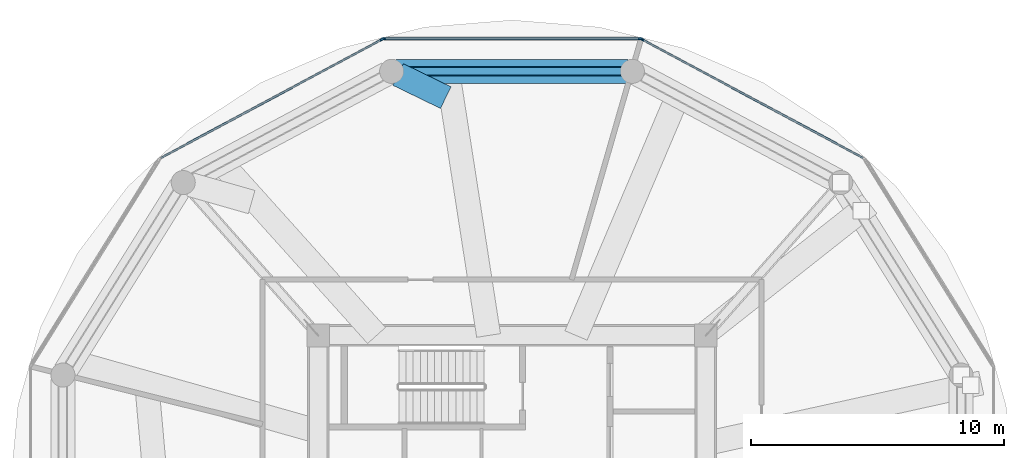
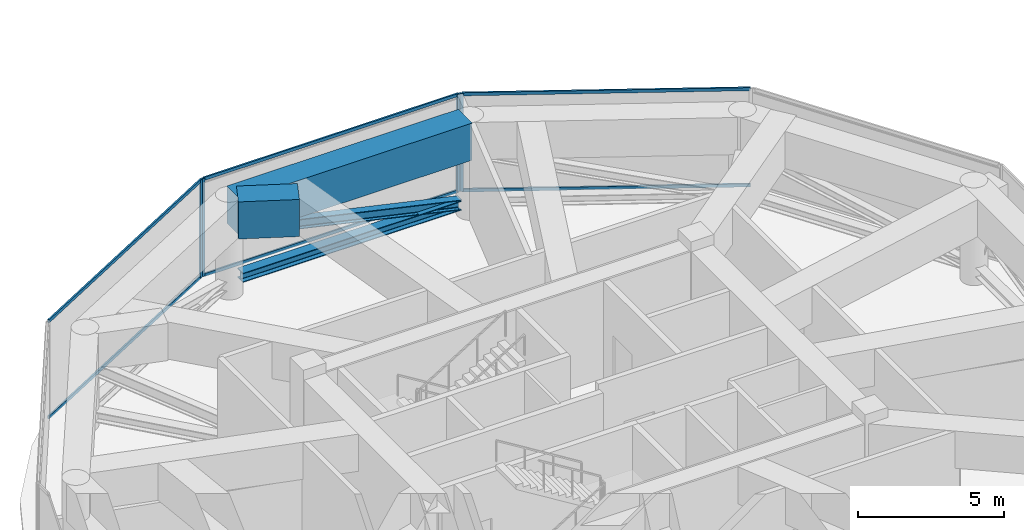
# One storey, part 9 of 22: 12 members, 2 beams, 3 elements without a shape of their own.
"""IFC4 building model written with IfcOpenShell, lengths in metres."""

from ifc_helpers import new_model, si_unit, direction, frame, origin, origin_2d, place, context, subcontext, project, spatial, rectangle, i_section, extrude, source, transform, mapped, material, layer, layer_set, material_profile, profile_set, type_object, type_shapes, element, aggregate, save


model = new_model("IFC4")

# Units and contexts
model_context = context("Model", 3, precision=1e-05, world=origin(), true_north=direction((0.0, 1.0)))
body_context = subcontext(model_context, "Body", "Model", "MODEL_VIEW")
ifc_project = project(units=[si_unit("LENGTHUNIT", "METRE"), si_unit("AREAUNIT", "SQUARE_METRE"), si_unit("VOLUMEUNIT", "CUBIC_METRE"), si_unit("PLANEANGLEUNIT", "RADIAN"), si_unit("MASSUNIT", "GRAM", prefix="KILO")], contexts=[model_context])

# Site, building, storey
site_placement = place(None, origin())
site = spatial("IfcSite", under=ifc_project, at=site_placement, CompositionType="ELEMENT")
building_placement = place(site_placement, origin())
building = spatial("IfcBuilding", under=site, at=building_placement, Name="Norrkilde Senior Care Towers", CompositionType="ELEMENT")
storey_placement = place(building_placement, frame((0.0, 0.0, 73.449951171875)))
storey = spatial("IfcBuildingStorey", under=building, at=storey_placement, Name="L22", CompositionType="ELEMENT", Elevation=73.449951171875)

# Beams
ifc_material_1 = material(Name="Concrete C60/75", Category="concrete")
ifc_material_profile_1 = material_profile(ifc_material_1, rectangle(XDim=0.949951171875, YDim=1.550048828125, at=origin_2d()), Name="RC TG 950x1550")
ifc_profile_set_1 = profile_set([ifc_material_profile_1], Name="Concrete C60/75")
beam_type = type_object("IfcBeamType", Name="Transfer Girder Zone Shift 950x1550", PredefinedType="USERDEFINED", material=ifc_profile_set_1)
shared_shape_1 = source(origin(), body_context, "Body", "SweptSolid", [
    extrude(rectangle(XDim=0.949951171875, YDim=1.550048828125, at=origin_2d()), origin(), (0.0, 0.0, 1.0), 9.138671875),
])
beam_1_placement = place(storey_placement, frame((-23.4306640625, 16.37255859375, 3.304931640625), z_axis=(-1.0, 0.0, 0.0), x_axis=(0.0, -1.0, 0.0)))
element("IfcBeam", 1, at=beam_1_placement, inside=storey, type_object=beam_type, Name="L22 Drum W Zone Ring Transfer Girder 03", ObjectType="GIRDER", PredefinedType="USERDEFINED", context=body_context, shape_type="MappedRepresentation", body=[
    mapped(shared_shape_1, transform((0.0, 0.0, 0.0), x_axis=(1.0, 0.0, 0.0), y_axis=(0.0, 1.0, 0.0), z_axis=(0.0, 0.0, 1.0), scale=1.0)),
])
shared_shape_2 = source(origin(), body_context, "Body", "SweptSolid", [
    extrude(rectangle(XDim=0.949951171875, YDim=1.550048828125, at=origin_2d()), origin(), (0.0, 0.0, 1.0), 2.093017578125),
])
type_shapes(beam_type, [shared_shape_1, shared_shape_2])
beam_2_placement = place(storey_placement, frame((-30.61474609375, 15.335693359375, 3.304931640625), z_axis=(-0.899546137145, 0.436825762916, 0.0), x_axis=(-0.436825762916, -0.899546137145, 0.0)))
element("IfcBeam", 2, at=beam_2_placement, inside=storey, type_object=beam_type, Name="L22 Drum W Zone Star Transfer Tie 04", ObjectType="GIRDER", PredefinedType="USERDEFINED", context=body_context, shape_type="MappedRepresentation", body=[
    mapped(shared_shape_2, transform((0.0, 0.0, 0.0), x_axis=(1.0, 0.0, 0.0), y_axis=(0.0, 1.0, 0.0), z_axis=(0.0, 0.0, 1.0), scale=1.0)),
])

# Members
ifc_material_2 = material(Name="Steel S355", Category="steel")
ifc_material_profile_2 = material_profile(ifc_material_2, i_section(OverallWidth=0.3740234375, OverallDepth=0.386962890625, WebThickness=0.01611328125, FlangeThickness=0.027099609375, FilletRadius=0.014892578125, at=origin_2d()), Name="HD 360x262")
ifc_profile_set_2 = profile_set([ifc_material_profile_2], Name="Steel S355")
member_type_1 = type_object("IfcMemberType", Name="Belt Truss Ring Chord HD360x262", PredefinedType="CHORD", material=ifc_profile_set_2)
shared_shape_3 = source(origin(), body_context, "Body", "SweptSolid", [
    extrude(i_section(OverallWidth=0.3740234375, OverallDepth=0.386962890625, WebThickness=0.01611328125, FlangeThickness=0.027099609375, FilletRadius=0.014892578125, at=origin_2d()), origin(), (0.0, 0.0, 1.0), 8.62841796875),
])
type_shapes(member_type_1, [shared_shape_3])
member_1_placement = place(storey_placement, frame((-23.685791015625, 16.37255859375, 0.550048828125), z_axis=(-1.0, 0.0, 0.0), x_axis=(0.0, -1.0, 0.0)))
element("IfcMember", 3, at=member_1_placement, inside=storey, type_object=member_type_1, Name="L22 Drum W Belt Truss Bottom Chord 03", PredefinedType="CHORD", context=body_context, shape_type="MappedRepresentation", body=[
    mapped(shared_shape_3, transform((0.0, 0.0, 0.0), x_axis=(1.0, 0.0, 0.0), y_axis=(0.0, 1.0, 0.0), z_axis=(0.0, 0.0, 1.0), scale=1.0)),
])
ifc_material_profile_3 = material_profile(ifc_material_2, i_section(OverallWidth=0.300048828125, OverallDepth=0.39990234375, WebThickness=0.013427734375, FlangeThickness=0.02392578125, FilletRadius=0.027099609375, at=origin_2d()), Name="HEB 400")
ifc_profile_set_3 = profile_set([ifc_material_profile_3], Name="Steel S355")
member_type_2 = type_object("IfcMemberType", Name="Belt Truss Diagonal HEB400", PredefinedType="BRACE", material=ifc_profile_set_3)
shared_shape_4 = source(origin(), body_context, "Body", "SweptSolid", [
    extrude(i_section(OverallWidth=0.300048828125, OverallDepth=0.39990234375, WebThickness=0.013427734375, FlangeThickness=0.02392578125, FilletRadius=0.027099609375, at=origin_2d()), origin(), (0.0, 0.0, 1.0), 8.841552734375),
])
type_shapes(member_type_2, [shared_shape_4])
member_2_placement = place(storey_placement, frame((-23.685791015625, 16.37255859375, 0.550048828125), z_axis=(-0.975886613571, 0.0, 0.218278073688), x_axis=(0.0, -1.0, 0.0)))
element("IfcMember", 4, at=member_2_placement, inside=storey, type_object=member_type_2, Name="L22 Drum W Belt Truss Diagonal 03", PredefinedType="BRACE", context=body_context, shape_type="MappedRepresentation", body=[
    mapped(shared_shape_4, transform((0.0, 0.0, 0.0), x_axis=(1.0, 0.0, 0.0), y_axis=(0.0, 1.0, 0.0), z_axis=(0.0, 0.0, 1.0), scale=1.0)),
])

# Curtain wall, member
ifc_material_3 = material(Name="Triple Low-E Insulated Glazing", Category="glass")
ifc_layer = layer(ifc_material_3, 0.18505859375)
ifc_layer_set = layer_set([ifc_layer], Name="Triple Low-E Insulated Glazing")
curtain_wall_type = type_object("IfcCurtainWallType", Name="CW6 Zone 4 Crown Pavilion Curtain Wall", PredefinedType="NOTDEFINED", material=ifc_layer_set)
curtain_wall_1_placement = place(storey_placement, origin())
curtain_wall_1 = element("IfcCurtainWall", 5, at=curtain_wall_1_placement, inside=storey, type_object=curtain_wall_type, Name="L22 Drum W Curtain Wall 01", PredefinedType="NOTDEFINED")
ifc_material_4 = material(Name="Anodised Aluminium", Category="aluminium")
ifc_material_profile_4 = material_profile(ifc_material_4, rectangle(XDim=0.070068359375, YDim=0.169921875, at=origin_2d()), Name="ALU MULL 70x170")
ifc_profile_set_4 = profile_set([ifc_material_profile_4], Name="Anodised Aluminium")
member_type_3 = type_object("IfcMemberType", Name="Curtain Wall Mullion Heavy 70x170", PredefinedType="MULLION", material=ifc_profile_set_4)
shared_shape_5 = source(origin(), body_context, "Body", "SweptSolid", [
    extrude(rectangle(XDim=0.070068359375, YDim=0.169921875, at=origin_2d()), origin(), (0.0, 0.0, 1.0), 4.080078125),
])
type_shapes(member_type_3, [shared_shape_5])
member_3_placement = place(storey_placement, frame((-22.87548828125, 17.640625, 0.0), z_axis=(0.0, 0.0, 1.0), x_axis=(0.472607802456, 0.881272866403, 0.0)))
member_3 = element("IfcMember", 6, at=member_3_placement, type_object=member_type_3, Name="CW-6 mullion 1", PredefinedType="MULLION", context=body_context, shape_type="MappedRepresentation", body=[
    mapped(shared_shape_5, transform((0.0, 0.0, 0.0), x_axis=(1.0, 0.0, 0.0), y_axis=(0.0, 1.0, 0.0), z_axis=(0.0, 0.0, 1.0), scale=1.0)),
])

# Curtain wall, members
curtain_wall_2_placement = place(storey_placement, origin())
curtain_wall_2 = element("IfcCurtainWall", 7, at=curtain_wall_2_placement, inside=storey, type_object=curtain_wall_type, Name="L22 Drum W Curtain Wall 02", PredefinedType="NOTDEFINED")
member_4_placement = place(storey_placement, frame((-33.05859375, 17.6572265625, 0.0), z_axis=(0.0, 0.0, 1.0), x_axis=(0.0, 1.0, 0.0)))
member_4 = element("IfcMember", 8, at=member_4_placement, type_object=member_type_3, Name="CW-6 mullion 1", PredefinedType="MULLION", context=body_context, shape_type="MappedRepresentation", body=[
    mapped(shared_shape_5, transform((0.0, 0.0, 0.0), x_axis=(1.0, 0.0, 0.0), y_axis=(0.0, 1.0, 0.0), z_axis=(0.0, 0.0, 1.0), scale=1.0)),
])
member_5_placement = place(storey_placement, frame((-22.94140625, 17.6572265625, 0.0), z_axis=(0.0, 0.0, 1.0), x_axis=(0.0, 1.0, 0.0)))
member_5 = element("IfcMember", 9, at=member_5_placement, type_object=member_type_3, Name="CW-6 mullion 2", PredefinedType="MULLION", context=body_context, shape_type="MappedRepresentation", body=[
    mapped(shared_shape_5, transform((0.0, 0.0, 0.0), x_axis=(1.0, 0.0, 0.0), y_axis=(0.0, 1.0, 0.0), z_axis=(0.0, 0.0, 1.0), scale=1.0)),
])

# Curtain wall, member
curtain_wall_3_placement = place(storey_placement, origin())
curtain_wall_3 = element("IfcCurtainWall", 10, at=curtain_wall_3_placement, inside=storey, type_object=curtain_wall_type, Name="L22 Drum W Curtain Wall 03", PredefinedType="NOTDEFINED")
member_6_placement = place(storey_placement, frame((-33.12451171875, 17.640625, 0.0), z_axis=(0.0, 0.0, 1.0), x_axis=(-0.472607802456, 0.881272866403, 0.0)))
member_6 = element("IfcMember", 11, at=member_6_placement, type_object=member_type_3, Name="CW-6 mullion 2", PredefinedType="MULLION", context=body_context, shape_type="MappedRepresentation", body=[
    mapped(shared_shape_5, transform((0.0, 0.0, 0.0), x_axis=(1.0, 0.0, 0.0), y_axis=(0.0, 1.0, 0.0), z_axis=(0.0, 0.0, 1.0), scale=1.0)),
])

# Member
ifc_material_profile_5 = material_profile(ifc_material_4, rectangle(XDim=0.06494140625, YDim=0.1298828125, at=origin_2d()), Name="ALU TRAN 65x130")
ifc_profile_set_5 = profile_set([ifc_material_profile_5], Name="Anodised Aluminium")
member_type_4 = type_object("IfcMemberType", Name="Curtain Wall Transom Heavy 65x130", PredefinedType="USERDEFINED", material=ifc_profile_set_5)
shared_shape_6 = source(origin(), body_context, "Body", "SweptSolid", [
    extrude(rectangle(XDim=0.06494140625, YDim=0.1298828125, at=origin_2d()), origin(), (0.0, 0.0, 1.0), 9.870849609375),
])
member_7_placement = place(storey_placement, frame((-22.8447265625, 17.6240234375, 0.032470703125), z_axis=(0.881274347161, -0.472605041272, 0.0), x_axis=(0.472605041272, 0.881274347161, 0.0)))
member_7 = element("IfcMember", 12, at=member_7_placement, type_object=member_type_4, Name="CW-6 transom 1.1", ObjectType="TRANSOM", PredefinedType="USERDEFINED", context=body_context, shape_type="MappedRepresentation", body=[
    mapped(shared_shape_6, transform((0.0, 0.0, 0.0), x_axis=(1.0, 0.0, 0.0), y_axis=(0.0, 1.0, 0.0), z_axis=(0.0, 0.0, 1.0), scale=1.0)),
])

member_8_placement = place(storey_placement, frame((-22.8447265625, 17.6240234375, 4.047607421875), z_axis=(0.881274347161, -0.472605041272, 0.0), x_axis=(0.472605041272, 0.881274347161, 0.0)))
member_8 = element("IfcMember", 13, at=member_8_placement, type_object=member_type_4, Name="CW-6 transom 1.2", ObjectType="TRANSOM", PredefinedType="USERDEFINED", context=body_context, shape_type="MappedRepresentation", body=[
    mapped(shared_shape_6, transform((0.0, 0.0, 0.0), x_axis=(1.0, 0.0, 0.0), y_axis=(0.0, 1.0, 0.0), z_axis=(0.0, 0.0, 1.0), scale=1.0)),
])

aggregate(curtain_wall_1, [member_3, member_7, member_8])

member_9_placement = place(storey_placement, frame((-41.854248046875, 12.958984375, 0.032470703125), z_axis=(0.881274347161, 0.472605041272, 0.0), x_axis=(-0.472605041272, 0.881274347161, 0.0)))
member_9 = element("IfcMember", 14, at=member_9_placement, type_object=member_type_4, Name="CW-6 transom 1.1", ObjectType="TRANSOM", PredefinedType="USERDEFINED", context=body_context, shape_type="MappedRepresentation", body=[
    mapped(shared_shape_6, transform((0.0, 0.0, 0.0), x_axis=(1.0, 0.0, 0.0), y_axis=(0.0, 1.0, 0.0), z_axis=(0.0, 0.0, 1.0), scale=1.0)),
])

member_10_placement = place(storey_placement, frame((-41.854248046875, 12.958984375, 4.047607421875), z_axis=(0.881274347161, 0.472605041272, 0.0), x_axis=(-0.472605041272, 0.881274347161, 0.0)))
member_10 = element("IfcMember", 15, at=member_10_placement, type_object=member_type_4, Name="CW-6 transom 1.2", ObjectType="TRANSOM", PredefinedType="USERDEFINED", context=body_context, shape_type="MappedRepresentation", body=[
    mapped(shared_shape_6, transform((0.0, 0.0, 0.0), x_axis=(1.0, 0.0, 0.0), y_axis=(0.0, 1.0, 0.0), z_axis=(0.0, 0.0, 1.0), scale=1.0)),
])

aggregate(curtain_wall_3, [member_6, member_9, member_10])

shared_shape_7 = source(origin(), body_context, "Body", "SweptSolid", [
    extrude(rectangle(XDim=0.06494140625, YDim=0.1298828125, at=origin_2d()), origin(), (0.0, 0.0, 1.0), 10.046875),
])
type_shapes(member_type_4, [shared_shape_6, shared_shape_7])
member_11_placement = place(storey_placement, frame((-33.0234375, 17.6572265625, 0.032470703125), z_axis=(1.0, 0.0, 0.0), x_axis=(0.0, 1.0, 0.0)))
member_11 = element("IfcMember", 16, at=member_11_placement, type_object=member_type_4, Name="CW-6 transom 1.1", ObjectType="TRANSOM", PredefinedType="USERDEFINED", context=body_context, shape_type="MappedRepresentation", body=[
    mapped(shared_shape_7, transform((0.0, 0.0, 0.0), x_axis=(1.0, 0.0, 0.0), y_axis=(0.0, 1.0, 0.0), z_axis=(0.0, 0.0, 1.0), scale=1.0)),
])

member_12_placement = place(storey_placement, frame((-33.0234375, 17.6572265625, 4.047607421875), z_axis=(1.0, 0.0, 0.0), x_axis=(0.0, 1.0, 0.0)))
member_12 = element("IfcMember", 17, at=member_12_placement, type_object=member_type_4, Name="CW-6 transom 1.2", ObjectType="TRANSOM", PredefinedType="USERDEFINED", context=body_context, shape_type="MappedRepresentation", body=[
    mapped(shared_shape_7, transform((0.0, 0.0, 0.0), x_axis=(1.0, 0.0, 0.0), y_axis=(0.0, 1.0, 0.0), z_axis=(0.0, 0.0, 1.0), scale=1.0)),
])

aggregate(curtain_wall_2, [member_4, member_5, member_11, member_12])

save(model, "model.ifc")
